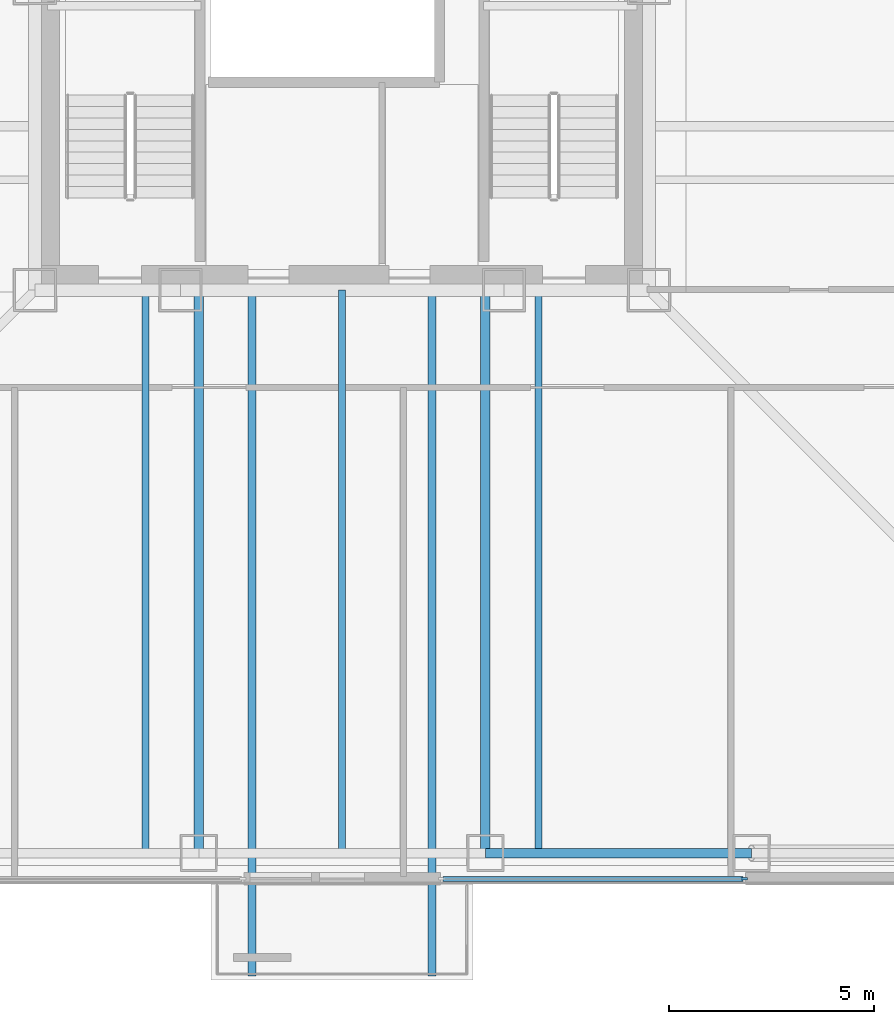
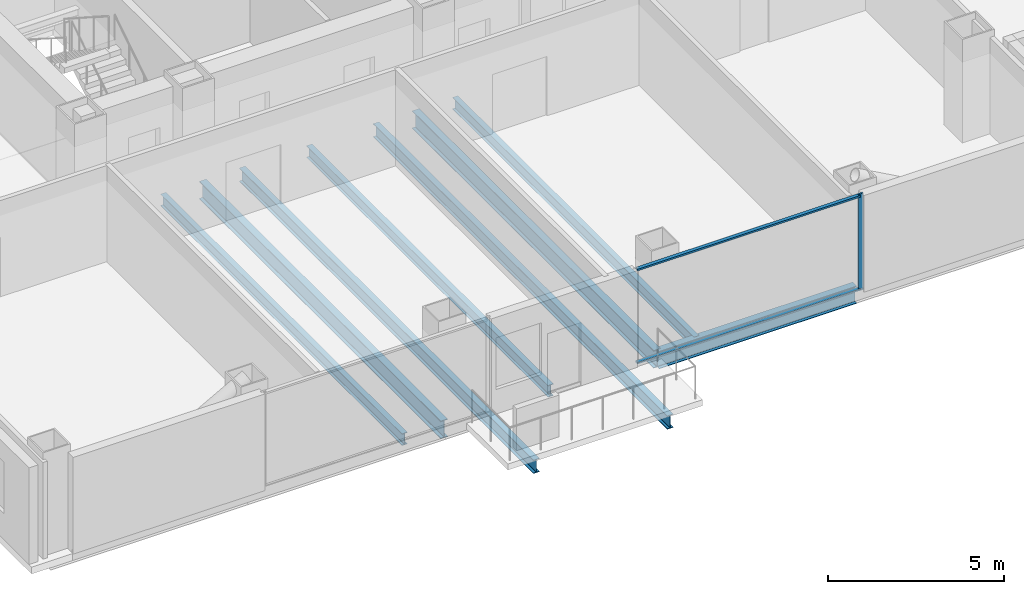
# One storey, part 3 of 14: 8 beams, 3 members, 1 element without a shape of its own.
"""IFC4 building model written with IfcOpenShell, lengths in metres."""

from ifc_helpers import new_model, si_unit, direction, frame, origin, origin_2d, place, context, subcontext, project, spatial, rectangle, i_section, extrude, material, layer, layer_set, material_profile, profile_set, type_object, element, aggregate, save


model = new_model("IFC4")

# Units and contexts
model_context = context("Model", 3, precision=1e-05, world=origin(), true_north=direction((0.0, 1.0)))
body_context = subcontext(model_context, "Body", "Model", "MODEL_VIEW")
ifc_project = project(units=[si_unit("LENGTHUNIT", "METRE"), si_unit("AREAUNIT", "SQUARE_METRE"), si_unit("VOLUMEUNIT", "CUBIC_METRE"), si_unit("PLANEANGLEUNIT", "RADIAN"), si_unit("MASSUNIT", "GRAM", prefix="KILO")], contexts=[model_context])

# Site, building, storey
site_placement = place(None, origin())
site = spatial("IfcSite", under=ifc_project, at=site_placement, CompositionType="ELEMENT")
building_placement = place(site_placement, origin())
building = spatial("IfcBuilding", under=site, at=building_placement, Name="Trevonay Congress Spire", CompositionType="ELEMENT")
storey_placement = place(building_placement, frame((0.0, 0.0, 133.60009765625)))
storey = spatial("IfcBuildingStorey", under=building, at=storey_placement, Name="L34", CompositionType="ELEMENT", Elevation=133.60009765625)

# Beams
ifc_material_1 = material(Name="Steel ASTM A572 Grade 50", Category="steel")
ifc_material_profile_1 = material_profile(ifc_material_1, i_section(OverallWidth=0.194091796875, OverallDepth=0.468994140625, WebThickness=0.011474609375, FlangeThickness=0.01953125, FilletRadius=0.013916015625, at=origin_2d()), Name="W460x106")
ifc_profile_set_1 = profile_set([ifc_material_profile_1], Name="Steel ASTM A572 Grade 50")
beam_type_1 = type_object("IfcBeamType", Name="BM-BAL-LOOKOUT", PredefinedType="BEAM", material=ifc_profile_set_1)
for number, where, z_axis, x_axis, name in (
    (1, (-2.199951171875, -7.5, -0.474609375), (0.0, -1.0, 0.0), (1.0, 0.0, 0.0), "L34 structural beam LKT-L34-S1"),
    (2, (2.199951171875, -7.5, -0.474609375), (0.0, -1.0, 0.0), (1.0, 0.0, 0.0), "L34 structural beam LKT-L34-S2"),
):
    element("IfcBeam", number, at=place(storey_placement, frame(where, z_axis=z_axis, x_axis=x_axis)), inside=storey, type_object=beam_type_1, Name=name, PredefinedType="BEAM", context=body_context, shape_type="SweptSolid", body=[
        extrude(i_section(OverallWidth=0.194091796875, OverallDepth=0.468994140625, WebThickness=0.011474609375, FlangeThickness=0.01953125, FilletRadius=0.013916015625, at=origin_2d()), origin(), (0.0, 0.0, 1.0), 16.75),
    ])
ifc_material_profile_2 = material_profile(ifc_material_1, i_section(OverallWidth=0.22998046875, OverallDepth=0.616943359375, WebThickness=0.01318359375, FlangeThickness=0.022216796875, FilletRadius=0.01611328125, at=origin_2d()), Name="W610x140")
ifc_profile_set_2 = profile_set([ifc_material_profile_2], Name="Steel ASTM A572 Grade 50")
beam_type_2 = type_object("IfcBeamType", Name="BM-GIRD-W610X140", PredefinedType="BEAM", material=ifc_profile_set_2)
for number, where, z_axis, x_axis, name in (
    (3, (-3.5, -7.5, -0.548583984375), (0.0, -1.0, 0.0), (1.0, 0.0, 0.0), "L34 structural beam BM-L34-GS-M"),
    (4, (3.5, -7.5, -0.548583984375), (0.0, -1.0, 0.0), (1.0, 0.0, 0.0), "L34 structural beam BM-L34-GS-P"),
):
    element("IfcBeam", number, at=place(storey_placement, frame(where, z_axis=z_axis, x_axis=x_axis)), inside=storey, type_object=beam_type_2, Name=name, PredefinedType="BEAM", context=body_context, shape_type="SweptSolid", body=[
        extrude(i_section(OverallWidth=0.22998046875, OverallDepth=0.616943359375, WebThickness=0.01318359375, FlangeThickness=0.022216796875, FilletRadius=0.01611328125, at=origin_2d()), origin(), (0.0, 0.0, 1.0), 13.75),
    ])
ifc_material_profile_3 = material_profile(ifc_material_1, i_section(OverallWidth=0.22802734375, OverallDepth=0.60791015625, WebThickness=0.01123046875, FlangeThickness=0.017333984375, FilletRadius=0.01611328125, at=origin_2d()), Name="W610x113")
ifc_profile_set_3 = profile_set([ifc_material_profile_3], Name="Steel ASTM A572 Grade 50")
beam_type_3 = type_object("IfcBeamType", Name="BM-RING-W610X113", PredefinedType="BEAM", material=ifc_profile_set_3)
beam_placement = place(storey_placement, frame((3.5, -21.25, -0.544189453125), z_axis=(1.0, 0.0, 0.0), x_axis=(0.0, 1.0, 0.0)))
element("IfcBeam", 5, at=beam_placement, inside=storey, type_object=beam_type_3, Name="L34 structural beam BM-L34-PS4", PredefinedType="BEAM", context=body_context, shape_type="SweptSolid", body=[
    extrude(i_section(OverallWidth=0.22802734375, OverallDepth=0.60791015625, WebThickness=0.01123046875, FlangeThickness=0.017333984375, FilletRadius=0.01611328125, at=origin_2d()), origin(), (0.0, 0.0, 1.0), 6.5),
])

# Curtain wall, members
ifc_material_2 = material(Name="Pale Anodised Aluminium EN AW-6063-T6", Category="aluminium")
ifc_layer = layer(ifc_material_2, 0.175048828125, Name="Pale Anodised Aluminium EN AW-6063-T6")
ifc_layer_set = layer_set([ifc_layer], Name="Pale Anodised Aluminium EN AW-6063-T6")
curtain_wall_type = type_object("IfcCurtainWallType", Name="CW-SYS03-CONGRESS-PALE-METAL", PredefinedType="NOTDEFINED", material=ifc_layer_set)
curtain_wall_placement = place(storey_placement, origin())
curtain_wall = element("IfcCurtainWall", 6, at=curtain_wall_placement, inside=storey, type_object=curtain_wall_type, Name="L34 SB unitised curtain wall", PredefinedType="NOTDEFINED")
ifc_material_profile_4 = material_profile(ifc_material_2, rectangle(XDim=0.06005859375, YDim=0.159912109375, at=origin_2d()), Name="CW-MULLION-160-ALUMINIUM")
ifc_profile_set_4 = profile_set([ifc_material_profile_4], Name="Pale Anodised Aluminium EN AW-6063-T6")
member_type_1 = type_object("IfcMemberType", Name="CW-MULLION-160-ALUMINIUM", PredefinedType="MULLION", material=ifc_profile_set_4)
member_1_placement = place(storey_placement, frame((9.820068359375, -21.8798828125, 0.0), z_axis=(0.0, 0.0, 1.0), x_axis=(0.0, 1.0, 0.0)))
member_1 = element("IfcMember", 7, at=member_1_placement, type_object=member_type_1, Name="CW03 mullion 2", PredefinedType="MULLION", context=body_context, shape_type="SweptSolid", body=[
    extrude(rectangle(XDim=0.06005859375, YDim=0.159912109375, at=origin_2d()), origin(), (0.0, 0.0, 1.0), 3.35986328125),
])
ifc_material_profile_5 = material_profile(ifc_material_2, rectangle(XDim=0.1201171875, YDim=0.06005859375, at=origin_2d()), Name="CW-TRANSOM-120-ALUMINIUM")
ifc_profile_set_5 = profile_set([ifc_material_profile_5], Name="Pale Anodised Aluminium EN AW-6063-T6")
member_type_2 = type_object("IfcMemberType", Name="CW-TRANSOM-120-ALUMINIUM", PredefinedType="USERDEFINED", material=ifc_profile_set_5)
member_2_placement = place(storey_placement, frame((2.4599609375, -21.8798828125, 0.059814453125), z_axis=(1.0, 0.0, 0.0), x_axis=(0.0, 1.0, 0.0)))
member_2 = element("IfcMember", 8, at=member_2_placement, type_object=member_type_2, Name="CW03 transom 1.1", ObjectType="TRANSOM", PredefinedType="USERDEFINED", context=body_context, shape_type="SweptSolid", body=[
    extrude(rectangle(XDim=0.1201171875, YDim=0.06005859375, at=origin_2d()), origin(), (0.0, 0.0, 1.0), 7.330078125),
])
member_3_placement = place(storey_placement, frame((2.4599609375, -21.8798828125, 3.2998046875), z_axis=(1.0, 0.0, 0.0), x_axis=(0.0, 1.0, 0.0)))
member_3 = element("IfcMember", 9, at=member_3_placement, type_object=member_type_2, Name="CW03 transom 1.2", ObjectType="TRANSOM", PredefinedType="USERDEFINED", context=body_context, shape_type="SweptSolid", body=[
    extrude(rectangle(XDim=0.1201171875, YDim=0.06005859375, at=origin_2d()), origin(), (0.0, 0.0, 1.0), 7.330078125),
])
aggregate(curtain_wall, [member_1, member_2, member_3])

# Beams
ifc_material_profile_6 = material_profile(ifc_material_1, i_section(OverallWidth=0.177978515625, OverallDepth=0.406982421875, WebThickness=0.0078125, FlangeThickness=0.0126953125, FilletRadius=0.012939453125, at=origin_2d()), Name="W410x60")
ifc_profile_set_6 = profile_set([ifc_material_profile_6], Name="Steel ASTM A572 Grade 50")
beam_type_4 = type_object("IfcBeamType", Name="JS-COMP-W410X60", PredefinedType="JOIST", material=ifc_profile_set_6)
for number, where, z_axis, x_axis, name in (
    (10, (-4.800048828125, -21.25, -0.443603515625), (0.0, 1.0, 0.0), (-1.0, 0.0, 0.0), "L34 structural beam JS-L34-NS-S1"),
    (11, (0.0, -21.25, -0.443603515625), (0.0, 1.0, 0.0), (-1.0, 0.0, 0.0), "L34 structural beam JS-L34-NS-S2"),
    (12, (4.800048828125, -21.25, -0.443603515625), (0.0, 1.0, 0.0), (-1.0, 0.0, 0.0), "L34 structural beam JS-L34-NS-S3"),
):
    element("IfcBeam", number, at=place(storey_placement, frame(where, z_axis=z_axis, x_axis=x_axis)), inside=storey, type_object=beam_type_4, Name=name, PredefinedType="JOIST", context=body_context, shape_type="SweptSolid", body=[
        extrude(i_section(OverallWidth=0.177978515625, OverallDepth=0.406982421875, WebThickness=0.0078125, FlangeThickness=0.0126953125, FilletRadius=0.012939453125, at=origin_2d()), origin(), (0.0, 0.0, 1.0), 13.75),
    ])

save(model, "model.ifc")
